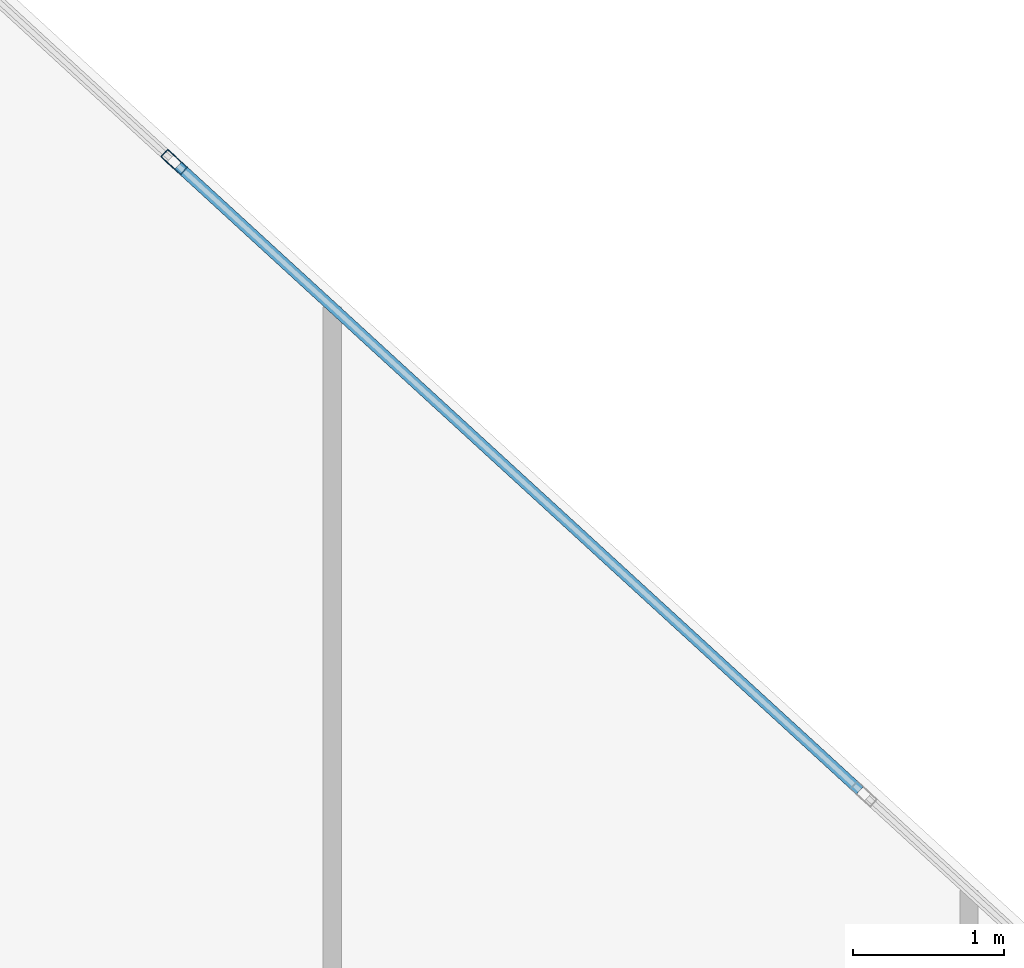
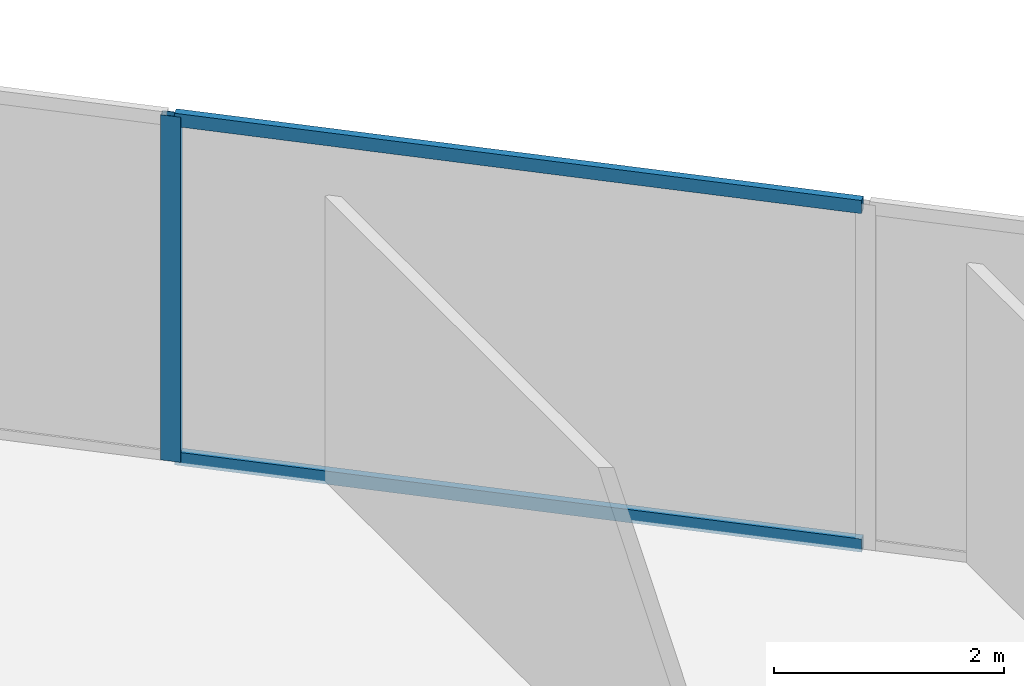
# One storey, part 20 of 26: 3 members, 1 element without a shape of its own.
"""IFC4 building model written with IfcOpenShell, lengths in metres."""

from ifc_helpers import new_model, si_unit, direction, frame, origin, origin_2d, place, context, subcontext, project, spatial, hollow_rectangle, extrude, source, transform, mapped, material, material_profile, profile_set, type_object, type_shapes, element, aggregate, save


model = new_model("IFC4")

# Units and contexts
model_context = context("Model", 3, precision=1e-05, world=origin(), true_north=direction((0.0, 1.0)))
body_context = subcontext(model_context, "Body", "Model", "MODEL_VIEW")
ifc_project = project(units=[si_unit("LENGTHUNIT", "METRE"), si_unit("AREAUNIT", "SQUARE_METRE"), si_unit("VOLUMEUNIT", "CUBIC_METRE"), si_unit("PLANEANGLEUNIT", "RADIAN"), si_unit("MASSUNIT", "GRAM", prefix="KILO")], contexts=[model_context])

# Site, building, storey
site_placement = place(None, origin())
site = spatial("IfcSite", under=ifc_project, at=site_placement, CompositionType="ELEMENT")
building_placement = place(site_placement, origin())
building = spatial("IfcBuilding", under=site, at=building_placement, Name="Krantzveldt Concourse Tower", CompositionType="ELEMENT")
storey_placement = place(building_placement, frame((0.0, 0.0, 223.10009765625)))
storey = spatial("IfcBuildingStorey", under=building, at=storey_placement, Name="L54", CompositionType="ELEMENT", Elevation=223.10009765625)

# Curtain wall, members
ifc_material = material(Name="Anodised aluminium 6063-T6", Category="aluminium")
curtain_wall_type = type_object("IfcCurtainWallType", Name="CW3", PredefinedType="USERDEFINED", material=ifc_material)
curtain_wall_placement = place(storey_placement, origin())
curtain_wall = element("IfcCurtainWall", 1, at=curtain_wall_placement, inside=storey, type_object=curtain_wall_type, Name="CW-L54-F14", ObjectType="UNITISED CURTAIN WALL", PredefinedType="USERDEFINED")
ifc_material_profile_1 = material_profile(ifc_material, hollow_rectangle(XDim=0.070068359375, YDim=0.179931640625, WallThickness=0.0048828125, at=origin_2d()), Name="Anodised aluminium 6063-T6", Category="aluminium")
ifc_profile_set_1 = profile_set([ifc_material_profile_1], Name="Anodised aluminium 6063-T6 - ALU-MULL 180x70x5")
member_type_1 = type_object("IfcMemberType", Name="CW-MUL-180", PredefinedType="MULLION", material=ifc_profile_set_1)
shared_shape_1 = source(origin(), body_context, "Body", "SweptSolid", [
    extrude(hollow_rectangle(XDim=0.070068359375, YDim=0.179931640625, WallThickness=0.0048828125, at=origin_2d()), origin(), (0.0, 0.0, 1.0), 3.669921875),
])
type_shapes(member_type_1, [shared_shape_1])
member_1_placement = place(storey_placement, frame((42.93212890625, 48.03076171875, 0.0), z_axis=(0.0, 0.0, 1.0), x_axis=(-0.675590053651, -0.737277477893, 0.0)))
member_1 = element("IfcMember", 2, at=member_1_placement, type_object=member_type_1, Name="CW-Z34 mullion 5", PredefinedType="MULLION", context=body_context, shape_type="MappedRepresentation", body=[
    mapped(shared_shape_1, transform((0.0, 0.0, 0.0), x_axis=(1.0, 0.0, 0.0), y_axis=(0.0, 1.0, 0.0), z_axis=(0.0, 0.0, 1.0), scale=1.0)),
])
ifc_material_profile_2 = material_profile(ifc_material, hollow_rectangle(XDim=0.070068359375, YDim=0.139892578125, WallThickness=0.0048828125, at=origin_2d()), Name="Anodised aluminium 6063-T6", Category="aluminium")
ifc_profile_set_2 = profile_set([ifc_material_profile_2], Name="Anodised aluminium 6063-T6 - ALU-TRAN 140x70x5")
member_type_2 = type_object("IfcMemberType", Name="CW-TRN-150", PredefinedType="USERDEFINED", material=ifc_profile_set_2)
shared_shape_2 = source(origin(), body_context, "Body", "SweptSolid", [
    extrude(hollow_rectangle(XDim=0.070068359375, YDim=0.139892578125, WallThickness=0.0048828125, at=origin_2d()), origin(), (0.0, 0.0, 1.0), 6.130126953125),
])
type_shapes(member_type_2, [shared_shape_2])
member_2_placement = place(storey_placement, frame((47.4775390625, 43.86572265625, 0.034912109375), z_axis=(-0.737279770771, 0.675587551404, 0.0), x_axis=(-0.675587551404, -0.737279770771, 0.0)))
member_2 = element("IfcMember", 3, at=member_2_placement, type_object=member_type_2, Name="CW-Z34 transom 4.1", ObjectType="TRANSOM", PredefinedType="USERDEFINED", context=body_context, shape_type="MappedRepresentation", body=[
    mapped(shared_shape_2, transform((0.0, 0.0, 0.0), x_axis=(1.0, 0.0, 0.0), y_axis=(0.0, 1.0, 0.0), z_axis=(0.0, 0.0, 1.0), scale=1.0)),
])
member_3_placement = place(storey_placement, frame((47.4775390625, 43.86572265625, 3.635009765625), z_axis=(-0.737279770771, 0.675587551404, 0.0), x_axis=(-0.675587551404, -0.737279770771, 0.0)))
member_3 = element("IfcMember", 4, at=member_3_placement, type_object=member_type_2, Name="CW-Z34 transom 4.2", ObjectType="TRANSOM", PredefinedType="USERDEFINED", context=body_context, shape_type="MappedRepresentation", body=[
    mapped(shared_shape_2, transform((0.0, 0.0, 0.0), x_axis=(1.0, 0.0, 0.0), y_axis=(0.0, 1.0, 0.0), z_axis=(0.0, 0.0, 1.0), scale=1.0)),
])
aggregate(curtain_wall, [member_1, member_2, member_3])

save(model, "model.ifc")
